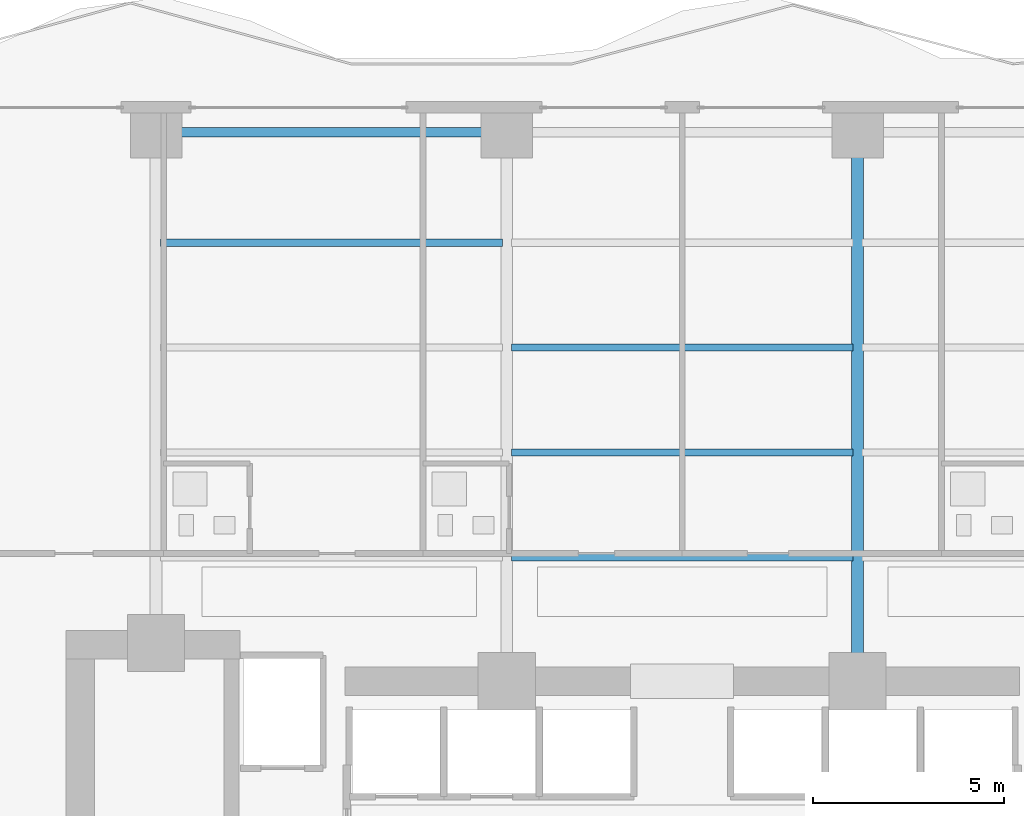
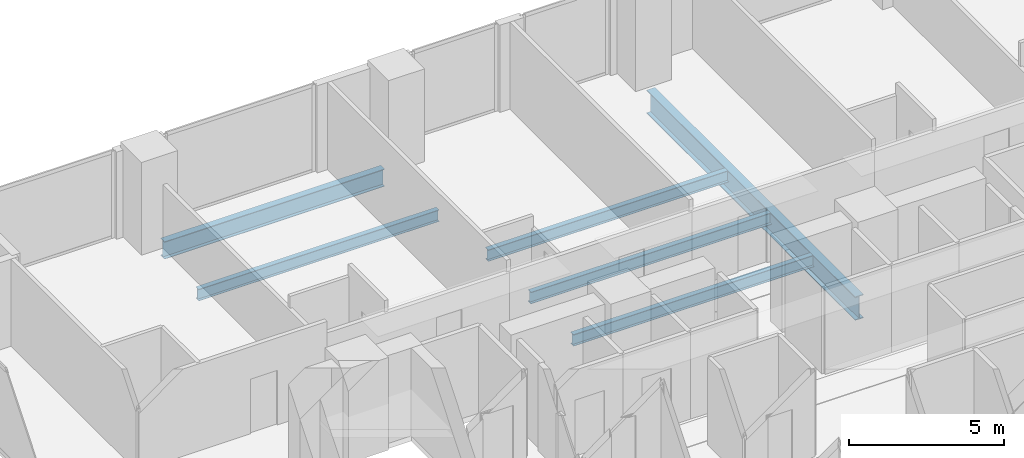
# One storey, part 16 of 29: 6 beams.
"""IFC4 building model written with IfcOpenShell, lengths in metres."""

from ifc_helpers import new_model, si_unit, direction, frame, origin, origin_2d, place, context, subcontext, project, spatial, i_section, extrude, material, material_profile, profile_set, type_object, element, save


model = new_model("IFC4")

# Units and contexts
model_context = context("Model", 3, precision=1e-05, world=origin(), true_north=direction((0.0, 1.0)))
body_context = subcontext(model_context, "Body", "Model", "MODEL_VIEW")
ifc_project = project(units=[si_unit("LENGTHUNIT", "METRE"), si_unit("AREAUNIT", "SQUARE_METRE"), si_unit("VOLUMEUNIT", "CUBIC_METRE"), si_unit("PLANEANGLEUNIT", "RADIAN"), si_unit("MASSUNIT", "GRAM", prefix="KILO")], contexts=[model_context])

# Site, building, storey
site_placement = place(None, origin())
site = spatial("IfcSite", under=ifc_project, at=site_placement, CompositionType="ELEMENT")
building_placement = place(site_placement, origin())
building = spatial("IfcBuilding", under=site, at=building_placement, Name="Zuhayl Quay Hotel", CompositionType="ELEMENT")
storey_placement = place(building_placement, frame((0.0, 0.0, 132.14990234375)))
storey = spatial("IfcBuildingStorey", under=building, at=storey_placement, Name="L33", CompositionType="ELEMENT", Elevation=132.14990234375)

# Beams
ifc_material = material(Name="Steel ASTM A992 Grade 50", Category="steel")
ifc_material_profile_1 = material_profile(ifc_material, i_section(OverallWidth=0.25390625, OverallDepth=0.68310546875, WebThickness=0.012451171875, FlangeThickness=0.018798828125, at=origin_2d()), Name="W27X94")
ifc_profile_set_1 = profile_set([ifc_material_profile_1], Name="Steel ASTM A992 Grade 50")
beam_type_1 = type_object("IfcBeamType", Name="BM_B2_W27X94", PredefinedType="BEAM", material=ifc_profile_set_1)
beam_1_placement = place(storey_placement, frame((-5.10009765625, 27.75, -0.5615234375), z_axis=(-1.0, 0.0, 0.0), x_axis=(0.0, -1.0, 0.0)))
element("IfcBeam", 1, at=beam_1_placement, inside=storey, type_object=beam_type_1, Name="L33 Floor Beam RG_L33_09", PredefinedType="BEAM", context=body_context, shape_type="SweptSolid", body=[
    extrude(i_section(OverallWidth=0.25390625, OverallDepth=0.68310546875, WebThickness=0.012451171875, FlangeThickness=0.018798828125, at=origin_2d()), origin(), (0.0, 0.0, 1.0), 8.199951171875),
])
ifc_material_profile_2 = material_profile(ifc_material, i_section(OverallWidth=0.18994140625, OverallDepth=0.45703125, WebThickness=0.009033203125, FlangeThickness=0.014404296875, at=origin_2d()), Name="W18X50")
ifc_profile_set_2 = profile_set([ifc_material_profile_2], Name="Steel ASTM A992 Grade 50")
beam_type_2 = type_object("IfcBeamType", Name="BM_J2_W18X50", PredefinedType="JOIST", material=ifc_profile_set_2)
for number, where, z_axis, x_axis, name in (
    (2, (-4.48095703125, 16.60009765625, -0.448486328125), (1.0, 0.0, 0.0), (0.0, 1.0, 0.0), "L33 Floor Beam FJ_L33_1_2"),
    (3, (-4.48095703125, 19.35009765625, -0.448486328125), (1.0, 0.0, 0.0), (0.0, 1.0, 0.0), "L33 Floor Beam FJ_L33_2_2"),
    (4, (-4.48095703125, 22.10009765625, -0.448486328125), (1.0, 0.0, 0.0), (0.0, 1.0, 0.0), "L33 Floor Beam FJ_L33_3_2"),
    (5, (-13.680908203125, 24.85009765625, -0.448486328125), (1.0, 0.0, 0.0), (0.0, 1.0, 0.0), "L33 Floor Beam FJ_L33_4_1"),
):
    element("IfcBeam", number, at=place(storey_placement, frame(where, z_axis=z_axis, x_axis=x_axis)), inside=storey, type_object=beam_type_2, Name=name, PredefinedType="JOIST", context=body_context, shape_type="SweptSolid", body=[
        extrude(i_section(OverallWidth=0.18994140625, OverallDepth=0.45703125, WebThickness=0.009033203125, FlangeThickness=0.014404296875, at=origin_2d()), origin(), (0.0, 0.0, 1.0), 8.9619140625),
    ])
ifc_material_profile_3 = material_profile(ifc_material, i_section(OverallWidth=0.306884765625, OverallDepth=0.927001953125, WebThickness=0.019287109375, FlangeThickness=0.031982421875, at=origin_2d()), Name="W36X194")
ifc_profile_set_3 = profile_set([ifc_material_profile_3], Name="Steel ASTM A992 Grade 50")
beam_type_3 = type_object("IfcBeamType", Name="BM_PG2_W36X194", PredefinedType="BEAM", material=ifc_profile_set_3)
beam_2_placement = place(storey_placement, frame((4.60009765625, 13.800048828125, -0.683349609375), z_axis=(0.0, 1.0, 0.0), x_axis=(-1.0, 0.0, 0.0)))
element("IfcBeam", 6, at=beam_2_placement, inside=storey, type_object=beam_type_3, Name="L33 Floor Beam FG_N_L33_3", PredefinedType="BEAM", context=body_context, shape_type="SweptSolid", body=[
    extrude(i_section(OverallWidth=0.306884765625, OverallDepth=0.927001953125, WebThickness=0.019287109375, FlangeThickness=0.031982421875, at=origin_2d()), origin(), (0.0, 0.0, 1.0), 13.449951171875),
])

save(model, "model.ifc")
